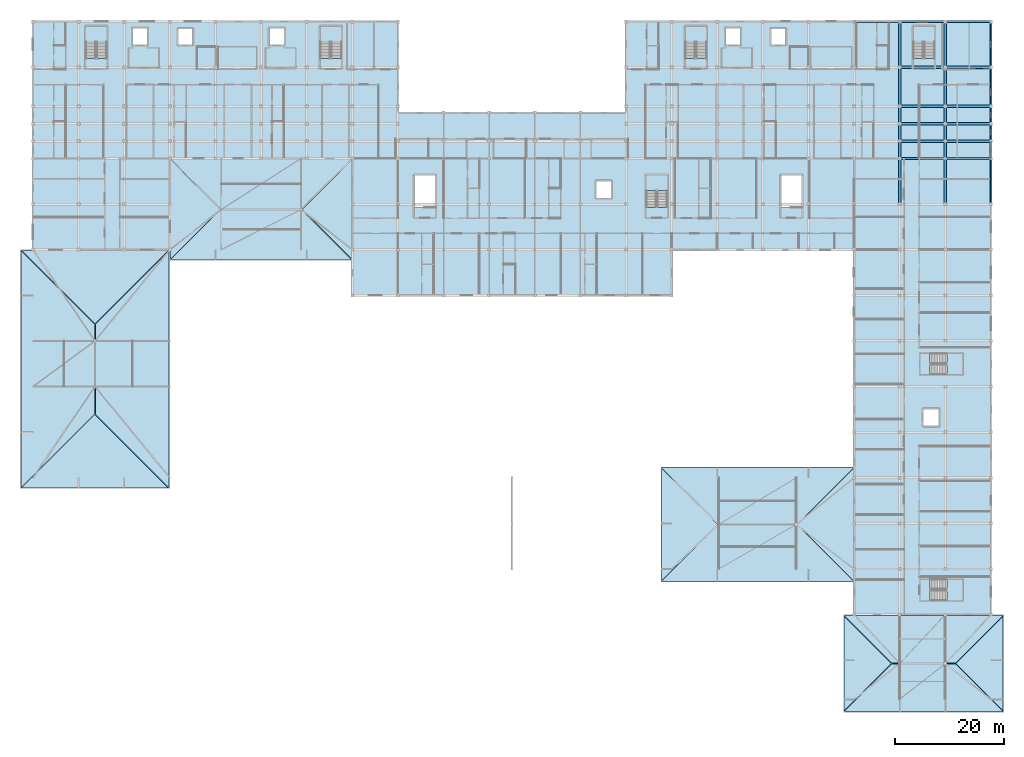
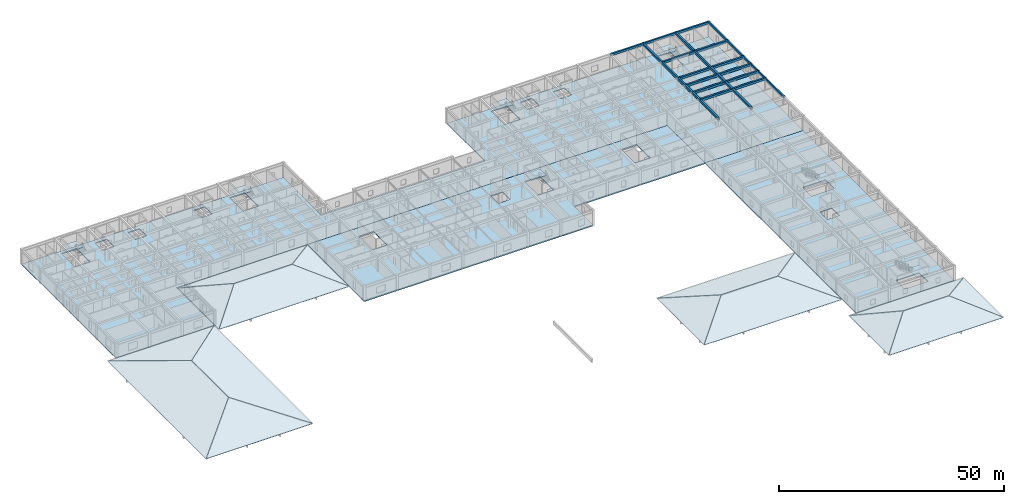
# One storey, part 11 of 42: 31 beams, 26 slabs, 7 elements without a shape of their own.
"""IFC4 building model written with IfcOpenShell, lengths in metres."""

from ifc_helpers import new_model, si_unit, direction, frame, origin, origin_2d, place, context, subcontext, project, spatial, polyline, rectangle, outline, extrude, material, layer, layer_set, material_profile, profile_set, type_object, element, aggregate, save


model = new_model("IFC4")

# Units and contexts
model_context = context("Model", 3, precision=1e-05, world=origin(), true_north=direction((0.0, 1.0)))
body_context = subcontext(model_context, "Body", "Model", "MODEL_VIEW")
ifc_project = project(units=[si_unit("LENGTHUNIT", "METRE"), si_unit("AREAUNIT", "SQUARE_METRE"), si_unit("VOLUMEUNIT", "CUBIC_METRE"), si_unit("PLANEANGLEUNIT", "RADIAN"), si_unit("MASSUNIT", "GRAM", prefix="KILO")], contexts=[model_context])

# Site, building, storey
site_placement = place(None, origin())
site = spatial("IfcSite", under=ifc_project, at=site_placement, CompositionType="ELEMENT")
building_placement = place(site_placement, origin())
building = spatial("IfcBuilding", under=site, at=building_placement, Name="Varncliffe General Hospital", CompositionType="ELEMENT")
storey_placement = place(building_placement, frame((0.0, 0.0, 20.39990234375)))
storey = spatial("IfcBuildingStorey", under=building, at=storey_placement, Name="L04", CompositionType="ELEMENT", Elevation=20.39990234375)

# Beams
ifc_material = material(Name="Concrete C35/45 (CSA A23.1 35 MPa)", Category="concrete")
ifc_material_profile_1 = material_profile(ifc_material, rectangle(XDim=0.449951171875, YDim=0.60009765625, at=origin_2d()), Name="RC 450x600")
ifc_profile_set_1 = profile_set([ifc_material_profile_1], Name="Concrete C35/45 (CSA A23.1 35 MPa)")
beam_type_1 = type_object("IfcBeamType", Name="Beam B47 (Int RC 450x600)", PredefinedType="BEAM", material=ifc_profile_set_1)
for number, where, z_axis, x_axis, name in (
    (1, (159.60009765625, 99.60009765625, 3.900146484375), (1.0, 0.0, 0.0), (0.0, 1.0, 0.0), "L04 Primary Beam B47-84"),
    (2, (168.0, 99.60009765625, 3.900146484375), (1.0, 0.0, 0.0), (0.0, 1.0, 0.0), "L04 Primary Beam B47-85"),
    (3, (159.60009765625, 102.800048828125, 3.900146484375), (1.0, 0.0, 0.0), (0.0, 1.0, 0.0), "L04 Primary Beam B47-105"),
    (4, (168.0, 102.800048828125, 3.900146484375), (1.0, 0.0, 0.0), (0.0, 1.0, 0.0), "L04 Primary Beam B47-106"),
    (5, (159.60009765625, 106.0, 3.900146484375), (1.0, 0.0, 0.0), (0.0, 1.0, 0.0), "L04 Primary Beam B47-121"),
    (6, (168.0, 106.0, 3.900146484375), (1.0, 0.0, 0.0), (0.0, 1.0, 0.0), "L04 Primary Beam B47-122"),
    (7, (159.60009765625, 109.199951171875, 3.900146484375), (1.0, 0.0, 0.0), (0.0, 1.0, 0.0), "L04 Primary Beam B47-140"),
    (8, (168.0, 109.199951171875, 3.900146484375), (1.0, 0.0, 0.0), (0.0, 1.0, 0.0), "L04 Primary Beam B47-141"),
    (9, (159.60009765625, 116.39990234375, 3.900146484375), (1.0, 0.0, 0.0), (0.0, 1.0, 0.0), "L04 Primary Beam B47-156"),
    (10, (168.0, 116.39990234375, 3.900146484375), (1.0, 0.0, 0.0), (0.0, 1.0, 0.0), "L04 Primary Beam B47-157"),
):
    element("IfcBeam", number, at=place(storey_placement, frame(where, z_axis=z_axis, x_axis=x_axis)), inside=storey, type_object=beam_type_1, Name=name, PredefinedType="BEAM", context=body_context, shape_type="SweptSolid", body=[
        extrude(rectangle(XDim=0.449951171875, YDim=0.60009765625, at=origin_2d()), origin(), (0.0, 0.0, 1.0), 8.39990234375),
    ])
beam_1_placement = place(storey_placement, frame((159.60009765625, 91.199951171875, 3.900146484375), z_axis=(0.0, 1.0, 0.0), x_axis=(-1.0, 0.0, 0.0)))
element("IfcBeam", 11, at=beam_1_placement, inside=storey, type_object=beam_type_1, Name="L04 Primary Beam B47-314", PredefinedType="BEAM", context=body_context, shape_type="SweptSolid", body=[
    extrude(rectangle(XDim=0.449951171875, YDim=0.60009765625, at=origin_2d()), origin(), (0.0, 0.0, 1.0), 8.400146484375),
])
for number, where, z_axis, x_axis, name in (
    (12, (159.60009765625, 99.60009765625, 3.900146484375), (0.0, 1.0, 0.0), (-1.0, 0.0, 0.0), "L04 Primary Beam B47-315"),
    (13, (159.60009765625, 102.800048828125, 3.900146484375), (0.0, 1.0, 0.0), (-1.0, 0.0, 0.0), "L04 Primary Beam B47-316"),
    (14, (159.60009765625, 106.0, 3.900146484375), (0.0, 1.0, 0.0), (-1.0, 0.0, 0.0), "L04 Primary Beam B47-317"),
):
    element("IfcBeam", number, at=place(storey_placement, frame(where, z_axis=z_axis, x_axis=x_axis)), inside=storey, type_object=beam_type_1, Name=name, PredefinedType="BEAM", context=body_context, shape_type="SweptSolid", body=[
        extrude(rectangle(XDim=0.449951171875, YDim=0.60009765625, at=origin_2d()), origin(), (0.0, 0.0, 1.0), 3.199951171875),
    ])
beam_2_placement = place(storey_placement, frame((159.60009765625, 109.199951171875, 3.900146484375), z_axis=(0.0, 1.0, 0.0), x_axis=(-1.0, 0.0, 0.0)))
element("IfcBeam", 15, at=beam_2_placement, inside=storey, type_object=beam_type_1, Name="L04 Primary Beam B47-318", PredefinedType="BEAM", context=body_context, shape_type="SweptSolid", body=[
    extrude(rectangle(XDim=0.449951171875, YDim=0.60009765625, at=origin_2d()), origin(), (0.0, 0.0, 1.0), 7.199951171875),
])
for number, where, z_axis, x_axis, name in (
    (16, (159.60009765625, 116.39990234375, 3.900146484375), (0.0, 1.0, 0.0), (-1.0, 0.0, 0.0), "L04 Primary Beam B47-319"),
    (17, (168.0, 91.199951171875, 3.900146484375), (0.0, 1.0, 0.0), (-1.0, 0.0, 0.0), "L04 Primary Beam B47-327"),
):
    element("IfcBeam", number, at=place(storey_placement, frame(where, z_axis=z_axis, x_axis=x_axis)), inside=storey, type_object=beam_type_1, Name=name, PredefinedType="BEAM", context=body_context, shape_type="SweptSolid", body=[
        extrude(rectangle(XDim=0.449951171875, YDim=0.60009765625, at=origin_2d()), origin(), (0.0, 0.0, 1.0), 8.400146484375),
    ])
for number, where, z_axis, x_axis, name in (
    (18, (168.0, 99.60009765625, 3.900146484375), (0.0, 1.0, 0.0), (-1.0, 0.0, 0.0), "L04 Primary Beam B47-328"),
    (19, (168.0, 102.800048828125, 3.900146484375), (0.0, 1.0, 0.0), (-1.0, 0.0, 0.0), "L04 Primary Beam B47-329"),
    (20, (168.0, 106.0, 3.900146484375), (0.0, 1.0, 0.0), (-1.0, 0.0, 0.0), "L04 Primary Beam B47-330"),
):
    element("IfcBeam", number, at=place(storey_placement, frame(where, z_axis=z_axis, x_axis=x_axis)), inside=storey, type_object=beam_type_1, Name=name, PredefinedType="BEAM", context=body_context, shape_type="SweptSolid", body=[
        extrude(rectangle(XDim=0.449951171875, YDim=0.60009765625, at=origin_2d()), origin(), (0.0, 0.0, 1.0), 3.199951171875),
    ])
beam_3_placement = place(storey_placement, frame((168.0, 109.199951171875, 3.900146484375), z_axis=(0.0, 1.0, 0.0), x_axis=(-1.0, 0.0, 0.0)))
element("IfcBeam", 21, at=beam_3_placement, inside=storey, type_object=beam_type_1, Name="L04 Primary Beam B47-331", PredefinedType="BEAM", context=body_context, shape_type="SweptSolid", body=[
    extrude(rectangle(XDim=0.449951171875, YDim=0.60009765625, at=origin_2d()), origin(), (0.0, 0.0, 1.0), 7.199951171875),
])
beam_4_placement = place(storey_placement, frame((168.0, 116.39990234375, 3.900146484375), z_axis=(0.0, 1.0, 0.0), x_axis=(-1.0, 0.0, 0.0)))
element("IfcBeam", 22, at=beam_4_placement, inside=storey, type_object=beam_type_1, Name="L04 Primary Beam B47-332", PredefinedType="BEAM", context=body_context, shape_type="SweptSolid", body=[
    extrude(rectangle(XDim=0.449951171875, YDim=0.60009765625, at=origin_2d()), origin(), (0.0, 0.0, 1.0), 8.400146484375),
])
ifc_material_profile_2 = material_profile(ifc_material, rectangle(XDim=0.35009765625, YDim=0.550048828125, at=origin_2d()), Name="RC 350x550")
ifc_profile_set_2 = profile_set([ifc_material_profile_2], Name="Concrete C35/45 (CSA A23.1 35 MPa)")
beam_type_2 = type_object("IfcBeamType", Name="Spandrel SP20 (Ext RC 350x550)", PredefinedType="SPANDREL", material=ifc_profile_set_2)
beam_5_placement = place(storey_placement, frame((176.39990234375, 91.199951171875, 3.925048828125), z_axis=(0.0, 1.0, 0.0), x_axis=(-1.0, 0.0, 0.0)))
element("IfcBeam", 23, at=beam_5_placement, inside=storey, type_object=beam_type_2, Name="L04 Spandrel Beam SP20-342", PredefinedType="SPANDREL", context=body_context, shape_type="SweptSolid", body=[
    extrude(rectangle(XDim=0.35009765625, YDim=0.550048828125, at=origin_2d()), origin(), (0.0, 0.0, 1.0), 8.400146484375),
])
for number, where, z_axis, x_axis, name in (
    (24, (176.39990234375, 99.60009765625, 3.925048828125), (0.0, 1.0, 0.0), (-1.0, 0.0, 0.0), "L04 Spandrel Beam SP20-343"),
    (25, (176.39990234375, 102.800048828125, 3.925048828125), (0.0, 1.0, 0.0), (-1.0, 0.0, 0.0), "L04 Spandrel Beam SP20-344"),
    (26, (176.39990234375, 106.0, 3.925048828125), (0.0, 1.0, 0.0), (-1.0, 0.0, 0.0), "L04 Spandrel Beam SP20-345"),
):
    element("IfcBeam", number, at=place(storey_placement, frame(where, z_axis=z_axis, x_axis=x_axis)), inside=storey, type_object=beam_type_2, Name=name, PredefinedType="SPANDREL", context=body_context, shape_type="SweptSolid", body=[
        extrude(rectangle(XDim=0.35009765625, YDim=0.550048828125, at=origin_2d()), origin(), (0.0, 0.0, 1.0), 3.199951171875),
    ])
beam_6_placement = place(storey_placement, frame((176.39990234375, 109.199951171875, 3.925048828125), z_axis=(0.0, 1.0, 0.0), x_axis=(-1.0, 0.0, 0.0)))
element("IfcBeam", 27, at=beam_6_placement, inside=storey, type_object=beam_type_2, Name="L04 Spandrel Beam SP20-346", PredefinedType="SPANDREL", context=body_context, shape_type="SweptSolid", body=[
    extrude(rectangle(XDim=0.35009765625, YDim=0.550048828125, at=origin_2d()), origin(), (0.0, 0.0, 1.0), 7.199951171875),
])
beam_7_placement = place(storey_placement, frame((176.39990234375, 116.39990234375, 3.925048828125), z_axis=(0.0, 1.0, 0.0), x_axis=(-1.0, 0.0, 0.0)))
element("IfcBeam", 28, at=beam_7_placement, inside=storey, type_object=beam_type_2, Name="L04 Spandrel Beam SP20-347", PredefinedType="SPANDREL", context=body_context, shape_type="SweptSolid", body=[
    extrude(rectangle(XDim=0.35009765625, YDim=0.550048828125, at=origin_2d()), origin(), (0.0, 0.0, 1.0), 8.400146484375),
])
ifc_material_profile_3 = material_profile(ifc_material, rectangle(XDim=0.39990234375, YDim=0.60009765625, at=origin_2d()), Name="RC 400x600")
ifc_profile_set_3 = profile_set([ifc_material_profile_3], Name="Concrete C35/45 (CSA A23.1 35 MPa)")
beam_type_3 = type_object("IfcBeamType", Name="Spandrel SP58 (Ext RC 400x600B)", PredefinedType="SPANDREL", material=ifc_profile_set_3)
beam_8_placement = place(storey_placement, frame((151.199951171875, 124.800048828125, 3.900146484375), z_axis=(1.0, 0.0, 0.0), x_axis=(0.0, 1.0, 0.0)))
element("IfcBeam", 29, at=beam_8_placement, inside=storey, type_object=beam_type_3, Name="L04 Spandrel Beam SP58-171", PredefinedType="SPANDREL", context=body_context, shape_type="SweptSolid", body=[
    extrude(rectangle(XDim=0.39990234375, YDim=0.60009765625, at=origin_2d()), origin(), (0.0, 0.0, 1.0), 8.400146484375),
])
for number, where, z_axis, x_axis, name in (
    (30, (159.60009765625, 124.800048828125, 3.900146484375), (1.0, 0.0, 0.0), (0.0, 1.0, 0.0), "L04 Spandrel Beam SP58-172"),
    (31, (168.0, 124.800048828125, 3.900146484375), (1.0, 0.0, 0.0), (0.0, 1.0, 0.0), "L04 Spandrel Beam SP58-173"),
):
    element("IfcBeam", number, at=place(storey_placement, frame(where, z_axis=z_axis, x_axis=x_axis)), inside=storey, type_object=beam_type_3, Name=name, PredefinedType="SPANDREL", context=body_context, shape_type="SweptSolid", body=[
        extrude(rectangle(XDim=0.39990234375, YDim=0.60009765625, at=origin_2d()), origin(), (0.0, 0.0, 1.0), 8.39990234375),
    ])

# Slabs
ifc_layer_1 = layer(ifc_material, 0.31005859375)
ifc_layer_set_1 = layer_set([ifc_layer_1], Name="Concrete C35/45 (CSA A23.1 35 MPa)")
slab_type_1 = type_object("IfcSlabType", Name="Floor Slab SL12 (Int 310mm)", PredefinedType="FLOOR", material=ifc_layer_set_1)
slab_1_placement = place(storey_placement, frame((0.0, 0.0, -0.309814453125)))
element("IfcSlab", 32, at=slab_1_placement, inside=storey, type_object=slab_type_1, Name="L04 V4 Structural Floor Slab 1", PredefinedType="FLOOR", context=body_context, shape_type="SweptSolid", body=[
    extrude(outline(polyline([(117.60009765625, 74.39990234375), (58.800048828125, 74.39990234375), (58.800048828125, 99.60009765625), (117.60009765625, 99.60009765625), (151.199951171875, 99.60009765625), (151.199951171875, 82.800048828125), (117.60009765625, 82.800048828125), (117.60009765625, 74.39990234375)]), holes=[polyline([(116.800048828125, 90.60009765625), (116.800048828125, 96.550048828125), (112.89990234375, 96.550048828125), (112.89990234375, 90.60009765625), (116.800048828125, 90.60009765625)]), polyline([(74.10009765625, 90.60009765625), (74.10009765625, 96.550048828125), (70.199951171875, 96.550048828125), (70.199951171875, 90.60009765625), (74.10009765625, 90.60009765625)]), polyline([(141.60009765625, 90.60009765625), (141.60009765625, 96.550048828125), (137.699951171875, 96.550048828125), (137.699951171875, 90.60009765625), (141.60009765625, 90.60009765625)]), polyline([(103.60009765625, 92.199951171875), (106.60009765625, 92.199951171875), (106.60009765625, 95.60009765625), (103.60009765625, 95.60009765625), (103.60009765625, 92.199951171875)])]), origin(), (0.0, 0.0, 1.0), 0.309814453125),
])
ifc_layer_2 = layer(ifc_material, 0.280029296875)
ifc_layer_set_2 = layer_set([ifc_layer_2], Name="Concrete C35/45 (CSA A23.1 35 MPa)")
slab_type_2 = type_object("IfcSlabType", Name="Floor Slab SL16 (Int 280mm)", PredefinedType="FLOOR", material=ifc_layer_set_2)
slab_2_placement = place(storey_placement, frame((0.0, 0.0, -0.27978515625)))
element("IfcSlab", 33, at=slab_2_placement, inside=storey, type_object=slab_type_2, Name="L04 V5 Structural Floor Slab 1", PredefinedType="FLOOR", context=body_context, shape_type="SweptSolid", body=[
    extrude(outline(polyline([(176.39990234375, 15.60009765625), (176.39990234375, 82.800048828125), (151.199951171875, 82.800048828125), (151.199951171875, 15.60009765625), (176.39990234375, 15.60009765625)]), holes=[polyline([(165.199951171875, 59.800048828125), (171.14990234375, 59.800048828125), (171.14990234375, 63.699951171875), (165.199951171875, 63.699951171875), (165.199951171875, 59.800048828125)]), polyline([(165.199951171875, 18.199951171875), (171.14990234375, 18.199951171875), (171.14990234375, 22.10009765625), (165.199951171875, 22.10009765625), (165.199951171875, 18.199951171875)]), polyline([(163.800048828125, 50.199951171875), (166.89990234375, 50.199951171875), (166.89990234375, 53.60009765625), (163.800048828125, 53.60009765625), (163.800048828125, 50.199951171875)])]), origin(), (0.0, 0.0, 1.0), 0.27978515625),
])
ifc_layer_3 = layer(ifc_material, 0.260009765625)
ifc_layer_set_3 = layer_set([ifc_layer_3], Name="Concrete C35/45 (CSA A23.1 35 MPa)")
slab_type_3 = type_object("IfcSlabType", Name="Floor Slab SL55 (Int 260mm)", PredefinedType="FLOOR", material=ifc_layer_set_3)
slab_3_placement = place(storey_placement, frame((0.0, 0.0, -0.260009765625)))
element("IfcSlab", 34, at=slab_3_placement, inside=storey, type_object=slab_type_3, Name="L04 V6 Structural Floor Slab 1", PredefinedType="FLOOR", context=body_context, shape_type="SweptSolid", body=[
    extrude(outline(polyline([(0.0, 99.60009765625), (0.0, 124.800048828125), (67.199951171875, 124.800048828125), (67.199951171875, 108.0), (109.199951171875, 108.0), (109.199951171875, 124.800048828125), (176.39990234375, 124.800048828125), (176.39990234375, 99.60009765625), (176.39990234375, 82.800048828125), (151.199951171875, 82.800048828125), (151.199951171875, 99.60009765625), (109.199951171875, 99.60009765625), (67.199951171875, 99.60009765625), (25.199951171875, 99.60009765625), (25.199951171875, 82.800048828125), (0.0, 82.800048828125), (0.0, 99.60009765625)]), holes=[polyline([(13.60009765625, 118.0), (13.60009765625, 123.949951171875), (9.699951171875, 123.949951171875), (9.699951171875, 118.0), (13.60009765625, 118.0)]), polyline([(56.800048828125, 118.0), (56.800048828125, 123.949951171875), (52.89990234375, 123.949951171875), (52.89990234375, 118.0), (56.800048828125, 118.0)]), polyline([(124.0, 118.0), (124.0, 123.949951171875), (120.10009765625, 123.949951171875), (120.10009765625, 118.0), (124.0, 118.0)]), polyline([(166.0, 118.0), (166.0, 123.949951171875), (162.10009765625, 123.949951171875), (162.10009765625, 118.0), (166.0, 118.0)]), polyline([(18.199951171875, 120.39990234375), (21.199951171875, 120.39990234375), (21.199951171875, 123.699951171875), (18.199951171875, 123.699951171875), (18.199951171875, 120.39990234375)]), polyline([(43.39990234375, 120.39990234375), (46.39990234375, 120.39990234375), (46.39990234375, 123.699951171875), (43.39990234375, 123.699951171875), (43.39990234375, 120.39990234375)]), polyline([(127.39990234375, 120.39990234375), (130.39990234375, 120.39990234375), (130.39990234375, 123.699951171875), (127.39990234375, 123.699951171875), (127.39990234375, 120.39990234375)]), polyline([(26.60009765625, 120.39990234375), (29.5, 120.39990234375), (29.5, 123.60009765625), (26.60009765625, 123.60009765625), (26.60009765625, 120.39990234375)]), polyline([(135.800048828125, 120.39990234375), (138.699951171875, 120.39990234375), (138.699951171875, 123.60009765625), (135.800048828125, 123.60009765625), (135.800048828125, 120.39990234375)])]), origin(), (0.0, 0.0, 1.0), 0.260009765625),
])

# Stair, slab
stair_type = type_object("IfcStairType", Name="Hospital Stair Assembly ST-T03 (1850w-4200h)", PredefinedType="TWO_STRAIGHT_RUN_STAIR", material=ifc_material)
stair_1_placement = place(storey_placement, origin())
stair_1 = element("IfcStair", 35, at=stair_1_placement, inside=storey, type_object=stair_type, Name="L04 North-West Ward Exit Stair 1", PredefinedType="TWO_STRAIGHT_RUN_STAIR")
ifc_layer_4 = layer(ifc_material, 0.199951171875)
ifc_layer_set_4 = layer_set([ifc_layer_4], Name="Concrete C35/45 (CSA A23.1 35 MPa)")
slab_type_4 = type_object("IfcSlabType", Name="Reinforced Concrete Stair Landing LND50 (200mm)", PredefinedType="LANDING", material=ifc_layer_set_4)
slab_4_placement = place(storey_placement, frame((0.0, 0.0, 1.900146484375)))
slab_4 = element("IfcSlab", 36, at=slab_4_placement, type_object=slab_type_4, Name="ST01 landing 1", PredefinedType="LANDING", context=body_context, shape_type="SweptSolid", body=[
    extrude(outline(polyline([(13.60009765625, 121.080078125), (13.60009765625, 123.949951171875), (9.699951171875, 123.949951171875), (9.699951171875, 121.080078125), (13.60009765625, 121.080078125)])), origin(), (0.0, 0.0, 1.0), 0.199951171875),
])
aggregate(stair_1, [slab_4])

stair_2_placement = place(storey_placement, origin())
stair_2 = element("IfcStair", 37, at=stair_2_placement, inside=storey, type_object=stair_type, Name="L04 North-West Ward Exit Stair 2", PredefinedType="TWO_STRAIGHT_RUN_STAIR")
slab_5_placement = place(storey_placement, frame((0.0, 0.0, 1.900146484375)))
slab_5 = element("IfcSlab", 38, at=slab_5_placement, type_object=slab_type_4, Name="ST02 landing 1", PredefinedType="LANDING", context=body_context, shape_type="SweptSolid", body=[
    extrude(outline(polyline([(56.800048828125, 121.080078125), (56.800048828125, 123.949951171875), (52.89990234375, 123.949951171875), (52.89990234375, 121.080078125), (56.800048828125, 121.080078125)])), origin(), (0.0, 0.0, 1.0), 0.199951171875),
])
aggregate(stair_2, [slab_5])

stair_3_placement = place(storey_placement, origin())
stair_3 = element("IfcStair", 39, at=stair_3_placement, inside=storey, type_object=stair_type, Name="L04 North-East Ward Exit Stair 3", PredefinedType="TWO_STRAIGHT_RUN_STAIR")
slab_6_placement = place(storey_placement, frame((0.0, 0.0, 1.900146484375)))
slab_6 = element("IfcSlab", 40, at=slab_6_placement, type_object=slab_type_4, Name="ST03 landing 1", PredefinedType="LANDING", context=body_context, shape_type="SweptSolid", body=[
    extrude(outline(polyline([(124.0, 121.080078125), (124.0, 123.949951171875), (120.10009765625, 123.949951171875), (120.10009765625, 121.080078125), (124.0, 121.080078125)])), origin(), (0.0, 0.0, 1.0), 0.199951171875),
])
aggregate(stair_3, [slab_6])

stair_4_placement = place(storey_placement, origin())
stair_4 = element("IfcStair", 41, at=stair_4_placement, inside=storey, type_object=stair_type, Name="L04 North-East Ward Exit Stair 4", PredefinedType="TWO_STRAIGHT_RUN_STAIR")
slab_7_placement = place(storey_placement, frame((0.0, 0.0, 1.900146484375)))
slab_7 = element("IfcSlab", 42, at=slab_7_placement, type_object=slab_type_4, Name="ST04 landing 1", PredefinedType="LANDING", context=body_context, shape_type="SweptSolid", body=[
    extrude(outline(polyline([(166.0, 121.080078125), (166.0, 123.949951171875), (162.10009765625, 123.949951171875), (162.10009765625, 121.080078125), (166.0, 121.080078125)])), origin(), (0.0, 0.0, 1.0), 0.199951171875),
])
aggregate(stair_4, [slab_7])

stair_5_placement = place(storey_placement, origin())
stair_5 = element("IfcStair", 43, at=stair_5_placement, inside=storey, type_object=stair_type, Name="L04 Surgical and Helipad Exit Stair 6", PredefinedType="TWO_STRAIGHT_RUN_STAIR")
slab_8_placement = place(storey_placement, frame((0.0, 0.0, 1.900146484375)))
slab_8 = element("IfcSlab", 44, at=slab_8_placement, type_object=slab_type_4, Name="ST06 landing 1", PredefinedType="LANDING", context=body_context, shape_type="SweptSolid", body=[
    extrude(outline(polyline([(116.800048828125, 93.679931640625), (116.800048828125, 96.550048828125), (112.89990234375, 96.550048828125), (112.89990234375, 93.679931640625), (116.800048828125, 93.679931640625)])), origin(), (0.0, 0.0, 1.0), 0.199951171875),
])
aggregate(stair_5, [slab_8])

stair_6_placement = place(storey_placement, origin())
stair_6 = element("IfcStair", 45, at=stair_6_placement, inside=storey, type_object=stair_type, Name="L04 Outpatient East Exit Stair 7", PredefinedType="TWO_STRAIGHT_RUN_STAIR")
slab_9_placement = place(storey_placement, frame((0.0, 0.0, 1.900146484375)))
slab_9 = element("IfcSlab", 46, at=slab_9_placement, type_object=slab_type_4, Name="ST07 landing 1", PredefinedType="LANDING", context=body_context, shape_type="SweptSolid", body=[
    extrude(outline(polyline([(168.280029296875, 59.800048828125), (171.14990234375, 59.800048828125), (171.14990234375, 63.699951171875), (168.280029296875, 63.699951171875), (168.280029296875, 59.800048828125)])), origin(), (0.0, 0.0, 1.0), 0.199951171875),
])
aggregate(stair_6, [slab_9])

stair_7_placement = place(storey_placement, origin())
stair_7 = element("IfcStair", 47, at=stair_7_placement, inside=storey, type_object=stair_type, Name="L04 Outpatient South-East Exit Stair 11", PredefinedType="TWO_STRAIGHT_RUN_STAIR")
slab_10_placement = place(storey_placement, frame((0.0, 0.0, 1.900146484375)))
slab_10 = element("IfcSlab", 48, at=slab_10_placement, type_object=slab_type_4, Name="ST11 landing 1", PredefinedType="LANDING", context=body_context, shape_type="SweptSolid", body=[
    extrude(outline(polyline([(168.280029296875, 18.199951171875), (171.14990234375, 18.199951171875), (171.14990234375, 22.10009765625), (168.280029296875, 22.10009765625), (168.280029296875, 18.199951171875)])), origin(), (0.0, 0.0, 1.0), 0.199951171875),
])
aggregate(stair_7, [slab_10])

# Slabs
ifc_layer_5 = layer(ifc_material, 0.219970703125)
ifc_layer_set_5 = layer_set([ifc_layer_5], Name="Concrete C35/45 (CSA A23.1 35 MPa)")
slab_type_5 = type_object("IfcSlabType", Name="Roof Slab SL11 (Ext 220mm)", PredefinedType="ROOF", material=ifc_layer_set_5)
slab_11_placement = place(storey_placement, frame((25.340087890625, 80.93994140625, 0.0), z_axis=(0.0, -0.36234557279, 0.932043821866), x_axis=(1.0, 0.0, 0.0)))
element("IfcSlab", 49, at=slab_11_placement, inside=storey, type_object=slab_type_5, Name="L04 RF-V3-N Hipped Roof Slab S", PredefinedType="ROOF", context=body_context, shape_type="SweptSolid", body=[
    extrude(outline(polyline([(0.0, 0.0), (33.31982421875, 0.0), (24.158935546875, 9.829079489154921), (9.160888671875, 9.829079489154921), (0.0, 0.0)])), origin(), (0.0, 0.0, -1.0), 0.219970703125),
])
slab_12_placement = place(storey_placement, frame((58.659912109375, 99.4599609375, 0.0), z_axis=(0.0, 0.362353961512, 0.932040560585), x_axis=(-1.0, 0.0, 0.0)))
element("IfcSlab", 50, at=slab_12_placement, inside=storey, type_object=slab_type_5, Name="L04 RF-V3-N Hipped Roof Slab N", PredefinedType="ROOF", context=body_context, shape_type="SweptSolid", body=[
    extrude(outline(polyline([(0.0, 0.0), (33.31982421875, 0.0), (24.158935546875, 9.828851939791823), (9.160888671875, 9.828851939791823), (0.0, 0.0)])), origin(), (0.0, 0.0, -1.0), 0.219970703125),
])
slab_13_placement = place(storey_placement, frame((25.340087890625, 99.320068359375, 0.0), z_axis=(-0.362360771295, 0.0, 0.932037913084), x_axis=(0.0, -1.0, 0.0)))
element("IfcSlab", 51, at=slab_13_placement, inside=storey, type_object=slab_type_5, Name="L04 RF-V3-N Hipped Roof Slab W", PredefinedType="ROOF", context=body_context, shape_type="SweptSolid", body=[
    extrude(outline(polyline([(0.0, 0.0), (18.239990234375, 0.0), (9.1201171875, 9.78487346796397), (0.0, 0.0)])), origin(), (0.0, 0.0, -1.0), 0.219970703125),
])
slab_14_placement = place(storey_placement, frame((58.659912109375, 81.080078125, 0.0), z_axis=(0.362360771295, 0.0, 0.932037913084), x_axis=(0.0, 1.0, 0.0)))
element("IfcSlab", 52, at=slab_14_placement, inside=storey, type_object=slab_type_5, Name="L04 RF-V3-N Hipped Roof Slab E", PredefinedType="ROOF", context=body_context, shape_type="SweptSolid", body=[
    extrude(outline(polyline([(0.0, 0.0), (18.239990234375, 0.0), (9.119873046875, 9.78487346796397), (0.0, 0.0)])), origin(), (0.0, 0.0, -1.0), 0.219970703125),
])
for number, where, z_axis, x_axis, name in (
    (53, (149.340087890625, -2.260009765625, 0.0), (0.0, -0.376437292979, 0.926442099893), (1.0, 0.0, 0.0), "L04 RF-V5-SE Hipped Roof Slab S"),
    (54, (178.659912109375, 15.4599609375, 0.0), (0.0, 0.376437292979, 0.926442099893), (-1.0, 0.0, 0.0), "L04 RF-V5-SE Hipped Roof Slab N"),
):
    element("IfcSlab", number, at=place(storey_placement, frame(where, z_axis=z_axis, x_axis=x_axis)), inside=storey, type_object=slab_type_5, Name=name, PredefinedType="ROOF", context=body_context, shape_type="SweptSolid", body=[
        extrude(outline(polyline([(0.0, 0.0), (29.31982421875, 0.0), (20.558837890625, 9.456593487206204), (8.760986328125, 9.456593487206204), (0.0, 0.0)])), origin(), (0.0, 0.0, -1.0), 0.219970703125),
    ])
slab_15_placement = place(storey_placement, frame((149.340087890625, 15.320068359375, 0.0), z_axis=(-0.376443142022, 0.0, 0.926439723255), x_axis=(0.0, -1.0, 0.0)))
element("IfcSlab", 55, at=slab_15_placement, inside=storey, type_object=slab_type_5, Name="L04 RF-V5-SE Hipped Roof Slab W", PredefinedType="ROOF", context=body_context, shape_type="SweptSolid", body=[
    extrude(outline(polyline([(0.0, 0.0), (17.440185546875, 0.0), (8.719970703125, 9.412345438393638), (0.0, 0.0)])), origin(), (0.0, 0.0, -1.0), 0.219970703125),
])
slab_16_placement = place(storey_placement, frame((178.659912109375, -2.1201171875, 0.0), z_axis=(0.376443142022, 0.0, 0.926439723255), x_axis=(0.0, 1.0, 0.0)))
element("IfcSlab", 56, at=slab_16_placement, inside=storey, type_object=slab_type_5, Name="L04 RF-V5-SE Hipped Roof Slab E", PredefinedType="ROOF", context=body_context, shape_type="SweptSolid", body=[
    extrude(outline(polyline([(0.0, 0.0), (17.440185546875, 0.0), (8.72021484375, 9.412345438393638), (0.0, 0.0)])), origin(), (0.0, 0.0, -1.0), 0.219970703125),
])
ifc_layer_6 = layer(ifc_material, 0.199951171875)
ifc_layer_set_6 = layer_set([ifc_layer_6], Name="Concrete C35/45 (CSA A23.1 35 MPa)")
slab_type_6 = type_object("IfcSlabType", Name="Roof Slab SL43 (Ext 200mm)", PredefinedType="ROOF", material=ifc_layer_set_6)
slab_17_placement = place(storey_placement, frame((-2.260009765625, 82.659912109375, 0.0), z_axis=(-0.25484546965, 0.0, 0.966981792279), x_axis=(0.0, -1.0, 0.0)))
element("IfcSlab", 57, at=slab_17_placement, inside=storey, type_object=slab_type_6, Name="L04 RF-V3-W Hipped Roof Slab W", PredefinedType="ROOF", context=body_context, shape_type="SweptSolid", body=[
    extrude(outline(polyline([(0.0, 0.0), (43.719970703125, 0.0), (30.158935546875, 14.024085318390844), (13.560791015625, 14.024085318390844), (0.0, 0.0)])), origin(), (0.0, 0.0, -1.0), 0.199951171875),
])
slab_18_placement = place(storey_placement, frame((25.06005859375, 38.93994140625, 0.0), z_axis=(0.25484546965, 0.0, 0.966981792279), x_axis=(0.0, 1.0, 0.0)))
element("IfcSlab", 58, at=slab_18_placement, inside=storey, type_object=slab_type_6, Name="L04 RF-V3-W Hipped Roof Slab E", PredefinedType="ROOF", context=body_context, shape_type="SweptSolid", body=[
    extrude(outline(polyline([(0.0, 0.0), (43.719970703125, 0.0), (30.1591796875, 14.024085318390844), (13.56103515625, 14.024085318390844), (0.0, 0.0)])), origin(), (0.0, 0.0, -1.0), 0.199951171875),
])
for number, where, z_axis, x_axis, name in (
    (59, (-2.1201171875, 38.93994140625, 0.0), (0.0, -0.254849975218, 0.966980604837), (1.0, 0.0, 0.0), "L04 RF-V3-W Hipped Roof Slab S"),
    (60, (24.919921875, 82.659912109375, 0.0), (0.0, 0.254849975218, 0.966980604837), (-1.0, 0.0, 0.0), "L04 RF-V3-W Hipped Roof Slab N"),
):
    element("IfcSlab", number, at=place(storey_placement, frame(where, z_axis=z_axis, x_axis=x_axis)), inside=storey, type_object=slab_type_6, Name=name, PredefinedType="ROOF", context=body_context, shape_type="SweptSolid", body=[
        extrude(outline(polyline([(0.0, 0.0), (27.0400390625, 0.0), (13.52001953125, 13.981686358150174), (0.0, 0.0)])), origin(), (0.0, 0.0, -1.0), 0.199951171875),
    ])
slab_19_placement = place(storey_placement, frame((115.739990234375, 21.739990234375, 0.0), z_axis=(0.0, -0.325430320093, 0.94556602454), x_axis=(1.0, 0.0, 0.0)))
element("IfcSlab", 61, at=slab_19_placement, inside=storey, type_object=slab_type_6, Name="L04 RF-V5-S Hipped Roof Slab S", PredefinedType="ROOF", context=body_context, shape_type="SweptSolid", body=[
    extrude(outline(polyline([(0.0, 0.0), (35.320068359375, 0.0), (24.958984375, 10.957546819025062), (10.361083984375, 10.957546819025062), (0.0, 0.0)])), origin(), (0.0, 0.0, -1.0), 0.199951171875),
])
slab_20_placement = place(storey_placement, frame((151.06005859375, 42.659912109375, 0.0), z_axis=(0.0, 0.32543717632, 0.945563664842), x_axis=(-1.0, 0.0, 0.0)))
element("IfcSlab", 62, at=slab_20_placement, inside=storey, type_object=slab_type_6, Name="L04 RF-V5-S Hipped Roof Slab N", PredefinedType="ROOF", context=body_context, shape_type="SweptSolid", body=[
    extrude(outline(polyline([(0.0, 0.0), (35.320068359375, 0.0), (24.958984375, 10.957315968232898), (10.361083984375, 10.957315968232898), (0.0, 0.0)])), origin(), (0.0, 0.0, -1.0), 0.199951171875),
])
for number, where, z_axis, x_axis, name in (
    (63, (115.739990234375, 42.52001953125, 0.0), (-0.325446713002, 0.0, 0.945560382522), (0.0, -1.0, 0.0), "L04 RF-V5-S Hipped Roof Slab W"),
    (64, (151.06005859375, 21.8798828125, 0.0), (0.325446713002, 0.0, 0.945560382522), (0.0, 1.0, 0.0), "L04 RF-V5-S Hipped Roof Slab E"),
):
    element("IfcSlab", number, at=place(storey_placement, frame(where, z_axis=z_axis, x_axis=x_axis)), inside=storey, type_object=slab_type_6, Name=name, PredefinedType="ROOF", context=body_context, shape_type="SweptSolid", body=[
        extrude(outline(polyline([(0.0, 0.0), (20.64013671875, 0.0), (10.320068359375, 10.914235145770721), (0.0, 0.0)])), origin(), (0.0, 0.0, -1.0), 0.199951171875),
    ])

save(model, "model.ifc")
